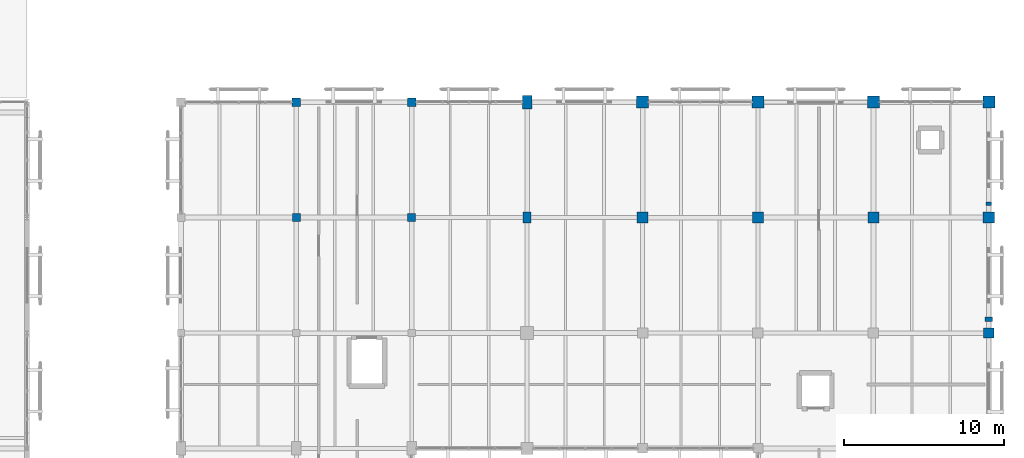
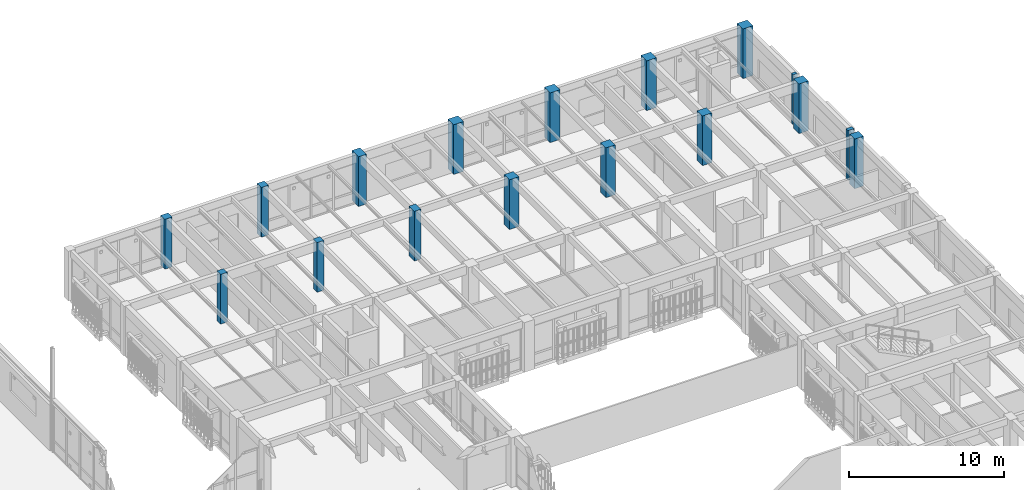
# One storey, part 18 of 170: 17 columns.
"""IFC4 building model written with IfcOpenShell, lengths in metres."""

from ifc_helpers import new_model, si_unit, direction, frame, origin, origin_2d, place, context, subcontext, project, spatial, rectangle, extrude, material, material_profile, profile_set, type_object, element, save


model = new_model("IFC4")

# Units and contexts
model_context = context("Model", 3, precision=1e-05, world=origin(), true_north=direction((0.0, 1.0)))
body_context = subcontext(model_context, "Body", "Model", "MODEL_VIEW")
ifc_project = project(units=[si_unit("LENGTHUNIT", "METRE"), si_unit("AREAUNIT", "SQUARE_METRE"), si_unit("VOLUMEUNIT", "CUBIC_METRE"), si_unit("PLANEANGLEUNIT", "RADIAN"), si_unit("MASSUNIT", "GRAM", prefix="KILO")], contexts=[model_context])

# Site, building, storey
site_placement = place(None, origin())
site = spatial("IfcSite", under=ifc_project, at=site_placement, CompositionType="ELEMENT")
building_placement = place(site_placement, origin())
building = spatial("IfcBuilding", under=site, at=building_placement, Name="Mazaris Harbour Polytechnic", CompositionType="ELEMENT")
storey_placement = place(building_placement, frame((0.0, 0.0, 5.39990234375)))
storey = spatial("IfcBuildingStorey", under=building, at=storey_placement, Name="L01", CompositionType="ELEMENT", Elevation=5.39990234375)

# Columns
ifc_material_1 = material(Name="Concrete C35/45", Category="concrete")
ifc_material_profile_1 = material_profile(ifc_material_1, rectangle(XDim=0.320068359375, YDim=0.219970703125, at=origin_2d()), Name="RECT320x220")
ifc_profile_set_1 = profile_set([ifc_material_profile_1], Name="Concrete C35/45")
column_type_1 = type_object("IfcColumnType", Name="Limestone Pilaster 320x220", PredefinedType="PILASTER", material=ifc_profile_set_1)
column_1_placement = place(storey_placement, frame((172.800048828125, 101.64990234375, 0.0), z_axis=(0.0, 0.0, 1.0), x_axis=(1.0, 0.0, 0.0)))
element("IfcColumn", 1, at=column_1_placement, inside=storey, type_object=column_type_1, Name="V5 L01 Giant Order Pilaster 72", PredefinedType="PILASTER", context=body_context, shape_type="SweptSolid", body=[
    extrude(rectangle(XDim=0.320068359375, YDim=0.219970703125, at=origin_2d()), origin(), (0.0, 0.0, 1.0), 3.920166015625),
])
ifc_material_2 = material(Name="Concrete C35/45", Category="concrete")
ifc_material_profile_2 = material_profile(ifc_material_2, rectangle(XDim=0.43994140625, YDim=0.280029296875, at=origin_2d()), Name="RECT440x280")
ifc_profile_set_2 = profile_set([ifc_material_profile_2], Name="Concrete C35/45")
column_type_2 = type_object("IfcColumnType", Name="Limestone Pilaster 440x280", PredefinedType="PILASTER", material=ifc_profile_set_2)
column_2_placement = place(storey_placement, frame((172.800048828125, 94.449951171875, 0.0), z_axis=(0.0, 0.0, 1.0), x_axis=(1.0, 0.0, 0.0)))
element("IfcColumn", 2, at=column_2_placement, inside=storey, type_object=column_type_2, Name="V5 L01 Giant Order Pilaster 71", PredefinedType="PILASTER", context=body_context, shape_type="SweptSolid", body=[
    extrude(rectangle(XDim=0.43994140625, YDim=0.280029296875, at=origin_2d()), origin(), (0.0, 0.0, 1.0), 3.920166015625),
])
ifc_material_3 = material(Name="Concrete C40/50", Category="concrete")
ifc_material_profile_3 = material_profile(ifc_material_3, rectangle(XDim=0.5, YDim=0.5, at=origin_2d()), Name="RECT500x500")
ifc_profile_set_3 = profile_set([ifc_material_profile_3], Name="Concrete C40/50")
column_type_3 = type_object("IfcColumnType", Name="RC Column 500x500", PredefinedType="COLUMN", material=ifc_profile_set_3)
for number, where, z_axis, x_axis, name in (
    (3, (129.60009765625, 100.800048828125, 0.0), (0.0, 0.0, 1.0), (1.0, 0.0, 0.0), "V5 L01 Column 1270"),
    (4, (136.800048828125, 100.800048828125, 0.0), (0.0, 0.0, 1.0), (1.0, 0.0, 0.0), "V5 L01 Column 1280"),
):
    element("IfcColumn", number, at=place(storey_placement, frame(where, z_axis=z_axis, x_axis=x_axis)), inside=storey, type_object=column_type_3, Name=name, PredefinedType="COLUMN", context=body_context, shape_type="SweptSolid", body=[
        extrude(rectangle(XDim=0.5, YDim=0.5, at=origin_2d()), origin(), (0.0, 0.0, 1.0), 3.920166015625),
    ])
ifc_material_4 = material(Name="Concrete C40/50", Category="concrete")
ifc_material_profile_4 = material_profile(ifc_material_4, rectangle(XDim=0.5, YDim=0.699951171875, at=origin_2d()), Name="RECT500x700")
ifc_profile_set_4 = profile_set([ifc_material_profile_4], Name="Concrete C40/50")
column_type_4 = type_object("IfcColumnType", Name="RC Column 500x700", PredefinedType="COLUMN", material=ifc_profile_set_4)
column_3_placement = place(storey_placement, frame((144.0, 100.800048828125, 0.0), z_axis=(0.0, 0.0, 1.0), x_axis=(1.0, 0.0, 0.0)))
element("IfcColumn", 5, at=column_3_placement, inside=storey, type_object=column_type_4, Name="V5 L01 Column 1287", PredefinedType="COLUMN", context=body_context, shape_type="SweptSolid", body=[
    extrude(rectangle(XDim=0.5, YDim=0.699951171875, at=origin_2d()), origin(), (0.0, 0.0, 1.0), 3.920166015625),
])
ifc_material_5 = material(Name="Concrete C40/50", Category="concrete")
ifc_material_profile_5 = material_profile(ifc_material_5, rectangle(XDim=0.550048828125, YDim=0.550048828125, at=origin_2d()), Name="RECT550x550")
ifc_profile_set_5 = profile_set([ifc_material_profile_5], Name="Concrete C40/50")
column_type_5 = type_object("IfcColumnType", Name="RC Column 550x550 Exterior", PredefinedType="COLUMN", material=ifc_profile_set_5)
for number, where, z_axis, x_axis, name in (
    (6, (129.60009765625, 108.0, 0.0), (0.0, 0.0, 1.0), (1.0, 0.0, 0.0), "V5 L01 Column 1271"),
    (7, (136.800048828125, 108.0, 0.0), (0.0, 0.0, 1.0), (1.0, 0.0, 0.0), "V5 L01 Column 1281"),
):
    element("IfcColumn", number, at=place(storey_placement, frame(where, z_axis=z_axis, x_axis=x_axis)), inside=storey, type_object=column_type_5, Name=name, PredefinedType="COLUMN", context=body_context, shape_type="SweptSolid", body=[
        extrude(rectangle(XDim=0.550048828125, YDim=0.550048828125, at=origin_2d()), origin(), (0.0, 0.0, 1.0), 3.920166015625),
    ])
ifc_material_6 = material(Name="Concrete C40/50", Category="concrete")
ifc_material_profile_6 = material_profile(ifc_material_6, rectangle(XDim=0.60009765625, YDim=0.85009765625, at=origin_2d()), Name="RECT600x850")
ifc_profile_set_6 = profile_set([ifc_material_profile_6], Name="Concrete C40/50")
column_type_6 = type_object("IfcColumnType", Name="RC Column 600x850 Exterior", PredefinedType="COLUMN", material=ifc_profile_set_6)
column_4_placement = place(storey_placement, frame((144.0, 108.0, 0.0), z_axis=(0.0, 0.0, 1.0), x_axis=(1.0, 0.0, 0.0)))
element("IfcColumn", 8, at=column_4_placement, inside=storey, type_object=column_type_6, Name="V5 L01 Column 1288", PredefinedType="COLUMN", context=body_context, shape_type="SweptSolid", body=[
    extrude(rectangle(XDim=0.60009765625, YDim=0.85009765625, at=origin_2d()), origin(), (0.0, 0.0, 1.0), 3.920166015625),
])
ifc_material_7 = material(Name="Concrete C40/50", Category="concrete")
ifc_material_profile_7 = material_profile(ifc_material_7, rectangle(XDim=0.64990234375, YDim=0.64990234375, at=origin_2d()), Name="RECT650x650")
ifc_profile_set_7 = profile_set([ifc_material_profile_7], Name="Concrete C40/50")
column_type_7 = type_object("IfcColumnType", Name="RC Column 650x650 Exterior", PredefinedType="COLUMN", material=ifc_profile_set_7)
column_5_placement = place(storey_placement, frame((172.800048828125, 93.60009765625, 0.0), z_axis=(0.0, 0.0, 1.0), x_axis=(1.0, 0.0, 0.0)))
element("IfcColumn", 9, at=column_5_placement, inside=storey, type_object=column_type_7, Name="V5 L01 Column 1323", PredefinedType="COLUMN", context=body_context, shape_type="SweptSolid", body=[
    extrude(rectangle(XDim=0.64990234375, YDim=0.64990234375, at=origin_2d()), origin(), (0.0, 0.0, 1.0), 3.920166015625),
])
ifc_material_8 = material(Name="Concrete C40/50", Category="concrete")
ifc_material_profile_8 = material_profile(ifc_material_8, rectangle(XDim=0.699951171875, YDim=0.699951171875, at=origin_2d()), Name="RECT700x700")
ifc_profile_set_8 = profile_set([ifc_material_profile_8], Name="Concrete C40/50")
column_type_8 = type_object("IfcColumnType", Name="RC Column 700x700", PredefinedType="COLUMN", material=ifc_profile_set_8)
for number, where, z_axis, x_axis, name in (
    (10, (151.199951171875, 100.800048828125, 0.0), (0.0, 0.0, 1.0), (1.0, 0.0, 0.0), "V5 L01 Column 1294"),
    (11, (158.39990234375, 100.800048828125, 0.0), (0.0, 0.0, 1.0), (1.0, 0.0, 0.0), "V5 L01 Column 1304"),
    (12, (165.60009765625, 100.800048828125, 0.0), (0.0, 0.0, 1.0), (1.0, 0.0, 0.0), "V5 L01 Column 1314"),
):
    element("IfcColumn", number, at=place(storey_placement, frame(where, z_axis=z_axis, x_axis=x_axis)), inside=storey, type_object=column_type_8, Name=name, PredefinedType="COLUMN", context=body_context, shape_type="SweptSolid", body=[
        extrude(rectangle(XDim=0.699951171875, YDim=0.699951171875, at=origin_2d()), origin(), (0.0, 0.0, 1.0), 3.920166015625),
    ])
ifc_material_9 = material(Name="Concrete C40/50", Category="concrete")
ifc_material_profile_9 = material_profile(ifc_material_9, rectangle(XDim=0.699951171875, YDim=0.699951171875, at=origin_2d()), Name="RECT700x700")
ifc_profile_set_9 = profile_set([ifc_material_profile_9], Name="Concrete C40/50")
column_type_9 = type_object("IfcColumnType", Name="RC Column 700x700 Exterior", PredefinedType="COLUMN", material=ifc_profile_set_9)
column_6_placement = place(storey_placement, frame((172.800048828125, 100.800048828125, 0.0), z_axis=(0.0, 0.0, 1.0), x_axis=(1.0, 0.0, 0.0)))
element("IfcColumn", 13, at=column_6_placement, inside=storey, type_object=column_type_9, Name="V5 L01 Column 1324", PredefinedType="COLUMN", context=body_context, shape_type="SweptSolid", body=[
    extrude(rectangle(XDim=0.699951171875, YDim=0.699951171875, at=origin_2d()), origin(), (0.0, 0.0, 1.0), 3.920166015625),
])
ifc_material_10 = material(Name="Concrete C40/50", Category="concrete")
ifc_material_profile_10 = material_profile(ifc_material_10, rectangle(XDim=0.75, YDim=0.75, at=origin_2d()), Name="RECT750x750")
ifc_profile_set_10 = profile_set([ifc_material_profile_10], Name="Concrete C40/50")
column_type_10 = type_object("IfcColumnType", Name="RC Column 750x750 Exterior", PredefinedType="COLUMN", material=ifc_profile_set_10)
for number, where, z_axis, x_axis, name in (
    (14, (151.199951171875, 108.0, 0.0), (0.0, 0.0, 1.0), (1.0, 0.0, 0.0), "V5 L01 Column 1295"),
    (15, (158.39990234375, 108.0, 0.0), (0.0, 0.0, 1.0), (1.0, 0.0, 0.0), "V5 L01 Column 1305"),
    (16, (165.60009765625, 108.0, 0.0), (0.0, 0.0, 1.0), (1.0, 0.0, 0.0), "V5 L01 Column 1315"),
    (17, (172.800048828125, 108.0, 0.0), (0.0, 0.0, 1.0), (1.0, 0.0, 0.0), "V5 L01 Column 1325"),
):
    element("IfcColumn", number, at=place(storey_placement, frame(where, z_axis=z_axis, x_axis=x_axis)), inside=storey, type_object=column_type_10, Name=name, PredefinedType="COLUMN", context=body_context, shape_type="SweptSolid", body=[
        extrude(rectangle(XDim=0.75, YDim=0.75, at=origin_2d()), origin(), (0.0, 0.0, 1.0), 3.920166015625),
    ])

save(model, "model.ifc")
